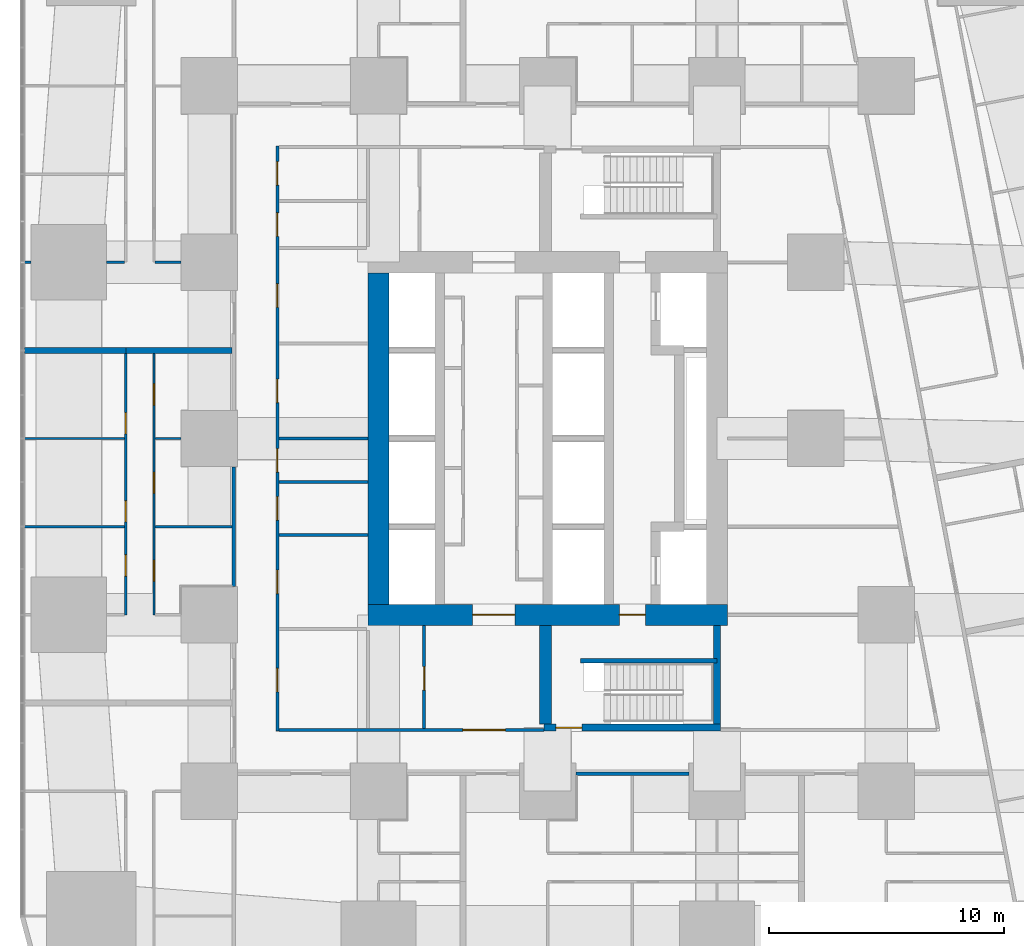
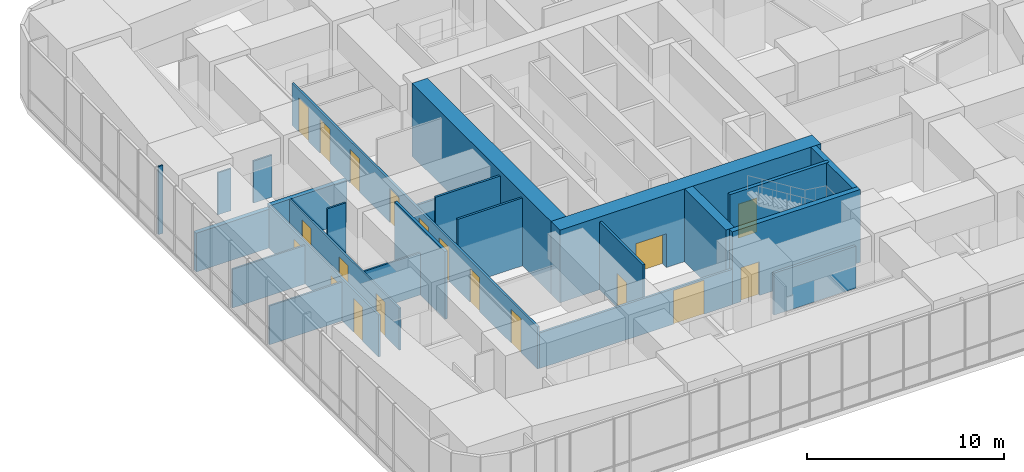
# One storey, part 15 of 23: 25 walls, 19 doors, 19 openings.
"""IFC4 building model written with IfcOpenShell, lengths in metres."""

from ifc_helpers import new_model, si_unit, direction, frame, frame_2d, origin, place, context, subcontext, project, spatial, rectangle, extrude, material, layer, layer_set, type_object, element, fill, save


model = new_model("IFC4")

# Units and contexts
model_context = context("Model", 3, precision=1e-05, world=origin(), true_north=direction((0.0, 1.0)))
body_context = subcontext(model_context, "Body", "Model", "MODEL_VIEW")
ifc_project = project(units=[si_unit("LENGTHUNIT", "METRE"), si_unit("AREAUNIT", "SQUARE_METRE"), si_unit("VOLUMEUNIT", "CUBIC_METRE"), si_unit("PLANEANGLEUNIT", "RADIAN"), si_unit("MASSUNIT", "GRAM", prefix="KILO")], contexts=[model_context])

# Site, building, storey
site_placement = place(None, origin())
site = spatial("IfcSite", under=ifc_project, at=site_placement, CompositionType="ELEMENT")
building_placement = place(site_placement, origin())
building = spatial("IfcBuilding", under=site, at=building_placement, Name="Sheger Commons Tower", CompositionType="ELEMENT")
storey_placement = place(building_placement, frame((0.0, 0.0, 5.60009765625)))
storey = spatial("IfcBuildingStorey", under=building, at=storey_placement, Name="L01", CompositionType="ELEMENT", Elevation=5.60009765625)

# Wall, openings, doors
ifc_material_1 = material(Name="Concrete C50/60", Category="concrete")
ifc_layer_1 = layer(ifc_material_1, 0.89990234375)
ifc_layer_set_1 = layer_set([ifc_layer_1], Name="CORE WALL 900")
wall_type_1 = type_object("IfcWallType", Name="CORE WALL 900", PredefinedType="SHEAR", material=ifc_layer_set_1)
wall_1_placement = place(storey_placement, frame((13.949951171875, 15.0, 0.0), z_axis=(0.0, 0.0, 1.0), x_axis=(1.0, 0.0, 0.0)))
wall_1 = element("IfcWall", 1, at=wall_1_placement, inside=storey, type_object=wall_type_1, Name="Core wall south L01", PredefinedType="SHEAR", context=body_context, shape_type="SweptSolid", body=[
    extrude(rectangle(XDim=15.300048828125, YDim=0.89990234375, at=frame_2d((7.64990234375, 0.0))), origin(), (0.0, 0.0, 1.0), 4.5),
])
opening_1_placement = place(wall_1_placement, frame((4.449951171875, 0.0, 0.0)))
opening_1 = element("IfcOpeningElement", 2, at=opening_1_placement, cuts=wall_1, Name="Opening D6", PredefinedType="OPENING", context=body_context, shape_type="SweptSolid", body=[
    extrude(rectangle(XDim=1.800048828125, YDim=2.10009765625, at=frame_2d((0.89990234375, 1.050048828125))), frame((0.0, 0.4599609375, 0.0), z_axis=(0.0, -1.0, 0.0), x_axis=(1.0, 0.0, 0.0)), (0.0, 0.0, 1.0), 0.919921875),
])
opening_2_placement = place(wall_1_placement, frame((10.699951171875, 0.0, 0.0)))
opening_2 = element("IfcOpeningElement", 3, at=opening_2_placement, cuts=wall_1, Name="Opening D5", PredefinedType="OPENING", context=body_context, shape_type="SweptSolid", body=[
    extrude(rectangle(XDim=1.10009765625, YDim=2.10009765625, at=frame_2d((0.550048828125, 1.050048828125))), frame((0.0, 0.4599609375, 0.0), z_axis=(0.0, -1.0, 0.0), x_axis=(1.0, 0.0, 0.0)), (0.0, 0.0, 1.0), 0.919921875),
])
ifc_material_2 = material(Name="Steel door set, fire rated", Category="steel")
door_type_1 = type_object("IfcDoorType", Name="LOBBY DOUBLE DOOR 1800x2100", OperationType="DOUBLE_DOOR_SINGLE_SWING", PredefinedType="DOOR", material=ifc_material_2)
door_1_placement = place(opening_1_placement, origin())
door_1 = element("IfcDoor", 4, at=door_1_placement, inside=storey, type_object=door_type_1, Name="Lift lobby door", OperationType="DOUBLE_DOOR_SINGLE_SWING", OverallHeight=2.10009765625, OverallWidth=1.800048828125, PredefinedType="DOOR", context=body_context, shape_type="SweptSolid", body=[
    extrude(rectangle(XDim=1.800048828125, YDim=2.10009765625, at=frame_2d((0.89990234375, 1.050048828125))), frame((0.0, 0.02490234375, 0.0), z_axis=(0.0, -1.0, 0.0), x_axis=(1.0, 0.0, 0.0)), (0.0, 0.0, 1.0), 0.050048828125),
])
fill(opening_1, door_1)
ifc_material_3 = material(Name="Steel door set, fire rated", Category="steel")
door_type_2 = type_object("IfcDoorType", Name="STAIR DOOR 1100x2100", OperationType="NOTDEFINED", PredefinedType="DOOR", material=ifc_material_3)
door_2_placement = place(opening_2_placement, origin())
door_2 = element("IfcDoor", 5, at=door_2_placement, inside=storey, type_object=door_type_2, Name="Fire-fighting lobby door", OperationType="SINGLE_SWING_RIGHT", OverallHeight=2.10009765625, OverallWidth=1.10009765625, PredefinedType="DOOR", context=body_context, shape_type="SweptSolid", body=[
    extrude(rectangle(XDim=1.10009765625, YDim=2.10009765625, at=frame_2d((0.550048828125, 1.050048828125))), frame((0.0, 0.02490234375, 0.0), z_axis=(0.0, -1.0, 0.0), x_axis=(1.0, 0.0, 0.0)), (0.0, 0.0, 1.0), 0.050048828125),
])
fill(opening_2, door_2)

# Walls
wall_2_placement = place(storey_placement, frame((14.39990234375, 15.449951171875, 0.0), z_axis=(0.0, 0.0, 1.0), x_axis=(0.0, 1.0, 0.0)))
element("IfcWall", 6, at=wall_2_placement, inside=storey, type_object=wall_type_1, Name="Core wall west L01", PredefinedType="SHEAR", context=body_context, shape_type="SweptSolid", body=[
    extrude(rectangle(XDim=14.10009765625, YDim=0.89990234375, at=frame_2d((7.050048828125, 0.0))), origin(), (0.0, 0.0, 1.0), 4.5),
])
ifc_material_4 = material(Name="Hollow concrete block masonry, skimmed both sides", Category="masonry")
ifc_layer_2 = layer(ifc_material_4, 0.14990234375)
ifc_layer_set_2 = layer_set([ifc_layer_2], Name="CORRIDOR WALL 150")
wall_type_2 = type_object("IfcWallType", Name="CORRIDOR WALL 150", PredefinedType="SOLIDWALL", material=ifc_layer_set_2)
wall_3_placement = place(storey_placement, frame((8.25, 16.200927734375, 0.0), z_axis=(0.0, 0.0, 1.0), x_axis=(0.0, 1.0, 0.0)))
element("IfcWall", 7, at=wall_3_placement, inside=storey, type_object=wall_type_2, Name="Corridor wall L01", PredefinedType="SOLIDWALL", context=body_context, shape_type="SweptSolid", body=[
    extrude(rectangle(XDim=5.09814453125, YDim=0.14990234375, at=frame_2d((2.549072265625, 0.0))), origin(), (0.0, 0.0, 1.0), 4.199951171875),
])
wall_4_placement = place(storey_placement, frame((27.59912109375, 8.25, 0.0), z_axis=(0.0, 0.0, 1.0), x_axis=(-1.0, 0.0, 0.0)))
element("IfcWall", 8, at=wall_4_placement, inside=storey, type_object=wall_type_2, Name="Corridor wall L01", PredefinedType="SOLIDWALL", context=body_context, shape_type="SweptSolid", body=[
    extrude(rectangle(XDim=4.798095703125, YDim=0.14990234375, at=frame_2d((2.39892578125, 0.0))), origin(), (0.0, 0.0, 1.0), 2.599853515625),
])
ifc_material_5 = material(Name="Dense concrete block masonry, plastered both sides (separating wall between flats)", Category="masonry")
ifc_layer_3 = layer(ifc_material_5, 0.25)
ifc_layer_set_3 = layer_set([ifc_layer_3], Name="DEMISING WALL 250")
wall_type_3 = type_object("IfcWallType", Name="DEMISING WALL 250", PredefinedType="SOLIDWALL", material=ifc_layer_set_3)
wall_5_placement = place(storey_placement, frame((-0.64990234375, 26.25, 0.0), z_axis=(0.0, 0.0, 1.0), x_axis=(1.0, 0.0, 0.0)))
element("IfcWall", 9, at=wall_5_placement, inside=storey, type_object=wall_type_3, Name="Demising wall L01", PredefinedType="SOLIDWALL", context=body_context, shape_type="SweptSolid", body=[
    extrude(rectangle(XDim=4.2998046875, YDim=0.25, at=frame_2d((2.14990234375, 0.0))), origin(), (0.0, 0.0, 1.0), 2.39990234375),
])
wall_6_placement = place(storey_placement, frame((3.64990234375, 26.25, 0.0), z_axis=(0.0, 0.0, 1.0), x_axis=(1.0, 0.0, 0.0)))
element("IfcWall", 10, at=wall_6_placement, inside=storey, type_object=wall_type_3, Name="Demising wall L01", PredefinedType="SOLIDWALL", context=body_context, shape_type="SweptSolid", body=[
    extrude(rectangle(XDim=4.525146484375, YDim=0.25, at=frame_2d((2.2626953125, 0.0))), origin(), (0.0, 0.0, 1.0), 2.599853515625),
])

# Wall, openings, doors
ifc_material_6 = material(Name="Gypsum board on steel studs", Category="steel")
ifc_layer_4 = layer(ifc_material_6, 0.10009765625)
ifc_layer_set_4 = layer_set([ifc_layer_4], Name="PARTITION 100")
wall_type_4 = type_object("IfcWallType", Name="PARTITION 100", PredefinedType="PARTITIONING", material=ifc_layer_set_4)
wall_7_placement = place(storey_placement, frame((3.64990234375, 15.0, 0.0), z_axis=(0.0, 0.0, 1.0), x_axis=(0.0, 1.0, 0.0)))
wall_7 = element("IfcWall", 11, at=wall_7_placement, inside=storey, type_object=wall_type_4, Name="Partition L01", PredefinedType="PARTITIONING", context=body_context, shape_type="SweptSolid", body=[
    extrude(rectangle(XDim=11.125, YDim=0.10009765625, at=frame_2d((5.5625, 0.0))), origin(), (0.0, 0.0, 1.0), 2.599853515625),
])
opening_3_placement = place(wall_7_placement, frame((1.64990234375, 0.0, 0.0)))
opening_3 = element("IfcOpeningElement", 12, at=opening_3_placement, cuts=wall_7, Name="Opening D2", PredefinedType="OPENING", context=body_context, shape_type="SweptSolid", body=[
    extrude(rectangle(XDim=0.89990234375, YDim=2.10009765625, at=frame_2d((0.449951171875, 1.050048828125))), frame((0.0, 0.06005859375, 0.0), z_axis=(0.0, -1.0, 0.0), x_axis=(1.0, 0.0, 0.0)), (0.0, 0.0, 1.0), 0.1201171875),
])
opening_4_placement = place(wall_7_placement, frame((3.949951171875, 0.0, 0.0)))
opening_4 = element("IfcOpeningElement", 13, at=opening_4_placement, cuts=wall_7, Name="Opening D2", PredefinedType="OPENING", context=body_context, shape_type="SweptSolid", body=[
    extrude(rectangle(XDim=0.89990234375, YDim=2.10009765625, at=frame_2d((0.449951171875, 1.050048828125))), frame((0.0, 0.06005859375, 0.0), z_axis=(0.0, -1.0, 0.0), x_axis=(1.0, 0.0, 0.0)), (0.0, 0.0, 1.0), 0.1201171875),
])
opening_5_placement = place(wall_7_placement, frame((7.699951171875, 0.0, 0.0)))
opening_5 = element("IfcOpeningElement", 14, at=opening_5_placement, cuts=wall_7, Name="Opening D2", PredefinedType="OPENING", context=body_context, shape_type="SweptSolid", body=[
    extrude(rectangle(XDim=0.89990234375, YDim=2.10009765625, at=frame_2d((0.449951171875, 1.050048828125))), frame((0.0, 0.06005859375, 0.0), z_axis=(0.0, -1.0, 0.0), x_axis=(1.0, 0.0, 0.0)), (0.0, 0.0, 1.0), 0.1201171875),
])
ifc_material_7 = material(Name="Timber door set", Category="wood")
door_type_3 = type_object("IfcDoorType", Name="INTERNAL DOOR 900x2100", OperationType="NOTDEFINED", PredefinedType="DOOR", material=ifc_material_7)
door_3_placement = place(opening_3_placement, origin())
door_3 = element("IfcDoor", 15, at=door_3_placement, inside=storey, type_object=door_type_3, Name="Consulting room door", OperationType="SINGLE_SWING_RIGHT", OverallHeight=2.10009765625, OverallWidth=0.89990234375, PredefinedType="DOOR", context=body_context, shape_type="SweptSolid", body=[
    extrude(rectangle(XDim=0.89990234375, YDim=2.10009765625, at=frame_2d((0.449951171875, 1.050048828125))), frame((0.0, 0.02490234375, 0.0), z_axis=(0.0, -1.0, 0.0), x_axis=(1.0, 0.0, 0.0)), (0.0, 0.0, 1.0), 0.050048828125),
])
fill(opening_3, door_3)
door_4_placement = place(opening_4_placement, origin())
door_4 = element("IfcDoor", 16, at=door_4_placement, inside=storey, type_object=door_type_3, Name="Examination room door", OperationType="SINGLE_SWING_LEFT", OverallHeight=2.10009765625, OverallWidth=0.89990234375, PredefinedType="DOOR", context=body_context, shape_type="SweptSolid", body=[
    extrude(rectangle(XDim=0.89990234375, YDim=2.10009765625, at=frame_2d((0.449951171875, 1.050048828125))), frame((0.0, 0.02490234375, 0.0), z_axis=(0.0, -1.0, 0.0), x_axis=(1.0, 0.0, 0.0)), (0.0, 0.0, 1.0), 0.050048828125),
])
fill(opening_4, door_4)
door_5_placement = place(opening_5_placement, origin())
door_5 = element("IfcDoor", 17, at=door_5_placement, inside=storey, type_object=door_type_3, Name="Consulting room door", OperationType="SINGLE_SWING_LEFT", OverallHeight=2.10009765625, OverallWidth=0.89990234375, PredefinedType="DOOR", context=body_context, shape_type="SweptSolid", body=[
    extrude(rectangle(XDim=0.89990234375, YDim=2.10009765625, at=frame_2d((0.449951171875, 1.050048828125))), frame((0.0, 0.02490234375, 0.0), z_axis=(0.0, -1.0, 0.0), x_axis=(1.0, 0.0, 0.0)), (0.0, 0.0, 1.0), 0.050048828125),
])
fill(opening_5, door_5)

wall_8_placement = place(storey_placement, frame((4.85009765625, 15.0, 0.0), z_axis=(0.0, 0.0, 1.0), x_axis=(0.0, 1.0, 0.0)))
wall_8 = element("IfcWall", 18, at=wall_8_placement, inside=storey, type_object=wall_type_4, Name="Partition L01", PredefinedType="PARTITIONING", context=body_context, shape_type="SweptSolid", body=[
    extrude(rectangle(XDim=11.125, YDim=0.10009765625, at=frame_2d((5.5625, 0.0))), origin(), (0.0, 0.0, 1.0), 2.599853515625),
])
opening_6_placement = place(wall_8_placement, frame((1.425048828125, 0.0, 0.0)))
opening_6 = element("IfcOpeningElement", 19, at=opening_6_placement, cuts=wall_8, Name="Opening D2", PredefinedType="OPENING", context=body_context, shape_type="SweptSolid", body=[
    extrude(rectangle(XDim=0.89990234375, YDim=2.10009765625, at=frame_2d((0.449951171875, 1.050048828125))), frame((0.0, 0.06005859375, 0.0), z_axis=(0.0, -1.0, 0.0), x_axis=(1.0, 0.0, 0.0)), (0.0, 0.0, 1.0), 0.1201171875),
])
opening_7_placement = place(wall_8_placement, frame((5.175048828125, 0.0, 0.0)))
opening_7 = element("IfcOpeningElement", 20, at=opening_7_placement, cuts=wall_8, Name="Opening D2", PredefinedType="OPENING", context=body_context, shape_type="SweptSolid", body=[
    extrude(rectangle(XDim=0.89990234375, YDim=2.10009765625, at=frame_2d((0.449951171875, 1.050048828125))), frame((0.0, 0.06005859375, 0.0), z_axis=(0.0, -1.0, 0.0), x_axis=(1.0, 0.0, 0.0)), (0.0, 0.0, 1.0), 0.1201171875),
])
opening_8_placement = place(wall_8_placement, frame((8.925048828125, 0.0, 0.0)))
opening_8 = element("IfcOpeningElement", 21, at=opening_8_placement, cuts=wall_8, Name="Opening D2", PredefinedType="OPENING", context=body_context, shape_type="SweptSolid", body=[
    extrude(rectangle(XDim=0.89990234375, YDim=2.10009765625, at=frame_2d((0.449951171875, 1.050048828125))), frame((0.0, 0.06005859375, 0.0), z_axis=(0.0, -1.0, 0.0), x_axis=(1.0, 0.0, 0.0)), (0.0, 0.0, 1.0), 0.1201171875),
])
door_6_placement = place(opening_6_placement, origin())
door_6 = element("IfcDoor", 22, at=door_6_placement, inside=storey, type_object=door_type_3, Name="Patient WC door", OperationType="SINGLE_SWING_RIGHT", OverallHeight=2.10009765625, OverallWidth=0.89990234375, PredefinedType="DOOR", context=body_context, shape_type="SweptSolid", body=[
    extrude(rectangle(XDim=0.89990234375, YDim=2.10009765625, at=frame_2d((0.449951171875, 1.050048828125))), frame((0.0, 0.02490234375, 0.0), z_axis=(0.0, -1.0, 0.0), x_axis=(1.0, 0.0, 0.0)), (0.0, 0.0, 1.0), 0.050048828125),
])
fill(opening_6, door_6)
door_7_placement = place(opening_7_placement, origin())
door_7 = element("IfcDoor", 23, at=door_7_placement, inside=storey, type_object=door_type_3, Name="Treatment room door", OperationType="SINGLE_SWING_LEFT", OverallHeight=2.10009765625, OverallWidth=0.89990234375, PredefinedType="DOOR", context=body_context, shape_type="SweptSolid", body=[
    extrude(rectangle(XDim=0.89990234375, YDim=2.10009765625, at=frame_2d((0.449951171875, 1.050048828125))), frame((0.0, 0.02490234375, 0.0), z_axis=(0.0, -1.0, 0.0), x_axis=(1.0, 0.0, 0.0)), (0.0, 0.0, 1.0), 0.050048828125),
])
fill(opening_7, door_7)
door_8_placement = place(opening_8_placement, origin())
door_8 = element("IfcDoor", 24, at=door_8_placement, inside=storey, type_object=door_type_3, Name="Treatment room door", OperationType="SINGLE_SWING_LEFT", OverallHeight=2.10009765625, OverallWidth=0.89990234375, PredefinedType="DOOR", context=body_context, shape_type="SweptSolid", body=[
    extrude(rectangle(XDim=0.89990234375, YDim=2.10009765625, at=frame_2d((0.449951171875, 1.050048828125))), frame((0.0, 0.02490234375, 0.0), z_axis=(0.0, -1.0, 0.0), x_axis=(1.0, 0.0, 0.0)), (0.0, 0.0, 1.0), 0.050048828125),
])
fill(opening_8, door_8)

# Walls
for number, where, z_axis, x_axis, name in (
    (25, (-0.64990234375, 18.75, 0.0), (0.0, 0.0, 1.0), (1.0, 0.0, 0.0), "Partition L01"),
    (26, (-0.64990234375, 22.5, 0.0), (0.0, 0.0, 1.0), (1.0, 0.0, 0.0), "Partition L01"),
):
    element("IfcWall", number, at=place(storey_placement, frame(where, z_axis=z_axis, x_axis=x_axis)), inside=storey, type_object=wall_type_4, Name=name, PredefinedType="PARTITIONING", context=body_context, shape_type="SweptSolid", body=[
        extrude(rectangle(XDim=4.25, YDim=0.10009765625, at=frame_2d((2.125, 0.0))), origin(), (0.0, 0.0, 1.0), 2.39990234375),
    ])
wall_9_placement = place(storey_placement, frame((4.89990234375, 18.75, 0.0), z_axis=(0.0, 0.0, 1.0), x_axis=(1.0, 0.0, 0.0)))
element("IfcWall", 27, at=wall_9_placement, inside=storey, type_object=wall_type_4, Name="Partition L01", PredefinedType="PARTITIONING", context=body_context, shape_type="SweptSolid", body=[
    extrude(rectangle(XDim=3.275146484375, YDim=0.10009765625, at=frame_2d((1.6376953125, 0.0))), origin(), (0.0, 0.0, 1.0), 2.599853515625),
])
wall_10_placement = place(storey_placement, frame((4.89990234375, 22.5, 0.0), z_axis=(0.0, 0.0, 1.0), x_axis=(1.0, 0.0, 0.0)))
element("IfcWall", 28, at=wall_10_placement, inside=storey, type_object=wall_type_4, Name="Partition L01", PredefinedType="PARTITIONING", context=body_context, shape_type="SweptSolid", body=[
    extrude(rectangle(XDim=1.09912109375, YDim=0.10009765625, at=frame_2d((0.549560546875, 0.0))), origin(), (0.0, 0.0, 1.0), 4.199951171875),
])
wall_11_placement = place(storey_placement, frame((-0.64990234375, 30.0, 0.0), z_axis=(0.0, 0.0, 1.0), x_axis=(1.0, 0.0, 0.0)))
element("IfcWall", 29, at=wall_11_placement, inside=storey, type_object=wall_type_4, Name="Partition L01", PredefinedType="PARTITIONING", context=body_context, shape_type="SweptSolid", body=[
    extrude(rectangle(XDim=0.27392578125, YDim=0.10009765625, at=frame_2d((0.136962890625, 0.0))), origin(), (0.0, 0.0, 1.0), 4.199951171875),
])
wall_12_placement = place(storey_placement, frame((2.825927734375, 30.0, 0.0), z_axis=(0.0, 0.0, 1.0), x_axis=(1.0, 0.0, 0.0)))
element("IfcWall", 30, at=wall_12_placement, inside=storey, type_object=wall_type_4, Name="Partition L01", PredefinedType="PARTITIONING", context=body_context, shape_type="SweptSolid", body=[
    extrude(rectangle(XDim=0.774169921875, YDim=0.10009765625, at=frame_2d((0.38720703125, 0.0))), origin(), (0.0, 0.0, 1.0), 2.599853515625),
])
wall_13_placement = place(storey_placement, frame((4.89990234375, 30.0, 0.0), z_axis=(0.0, 0.0, 1.0), x_axis=(1.0, 0.0, 0.0)))
element("IfcWall", 31, at=wall_13_placement, inside=storey, type_object=wall_type_4, Name="Partition L01", PredefinedType="PARTITIONING", context=body_context, shape_type="SweptSolid", body=[
    extrude(rectangle(XDim=1.09912109375, YDim=0.10009765625, at=frame_2d((0.549560546875, 0.0))), origin(), (0.0, 0.0, 1.0), 2.599853515625),
])

# Wall, openings, doors
ifc_material_8 = material(Name="Gypsum board on steel studs, two layers each side, fire rated", Category="steel")
ifc_layer_5 = layer(ifc_material_8, 0.125)
ifc_layer_set_5 = layer_set([ifc_layer_5], Name="SERVICE WALL 125")
wall_type_5 = type_object("IfcWallType", Name="SERVICE WALL 125", PredefinedType="PARTITIONING", material=ifc_layer_set_5)
wall_14_placement = place(storey_placement, frame((10.10009765625, 10.050048828125, 0.0), z_axis=(0.0, 0.0, 1.0), x_axis=(0.0, 1.0, 0.0)))
wall_14 = element("IfcWall", 32, at=wall_14_placement, inside=storey, type_object=wall_type_5, Name="Service room wall L01", PredefinedType="PARTITIONING", context=body_context, shape_type="SweptSolid", body=[
    extrude(rectangle(XDim=24.89990234375, YDim=0.125, at=frame_2d((12.449951171875, 0.0))), origin(), (0.0, 0.0, 1.0), 2.599853515625),
])
opening_9_placement = place(wall_14_placement, frame((1.675048828125, 0.0, 0.0)))
opening_9 = element("IfcOpeningElement", 33, at=opening_9_placement, cuts=wall_14, Name="Opening D4", PredefinedType="OPENING", context=body_context, shape_type="SweptSolid", body=[
    extrude(rectangle(XDim=1.0, YDim=2.10009765625, at=frame_2d((0.5, 1.050048828125))), frame((0.0, 0.072509765625, 0.0), z_axis=(0.0, -1.0, 0.0), x_axis=(1.0, 0.0, 0.0)), (0.0, 0.0, 1.0), 0.14501953125),
])
opening_10_placement = place(wall_14_placement, frame((5.85009765625, 0.0, 0.0)))
opening_10 = element("IfcOpeningElement", 34, at=opening_10_placement, cuts=wall_14, Name="Opening D4", PredefinedType="OPENING", context=body_context, shape_type="SweptSolid", body=[
    extrude(rectangle(XDim=1.0, YDim=2.10009765625, at=frame_2d((0.5, 1.050048828125))), frame((0.0, 0.072509765625, 0.0), z_axis=(0.0, -1.0, 0.0), x_axis=(1.0, 0.0, 0.0)), (0.0, 0.0, 1.0), 0.14501953125),
])
opening_11_placement = place(wall_14_placement, frame((8.97509765625, 0.0, 0.0)))
opening_11 = element("IfcOpeningElement", 35, at=opening_11_placement, cuts=wall_14, Name="Opening D4", PredefinedType="OPENING", context=body_context, shape_type="SweptSolid", body=[
    extrude(rectangle(XDim=1.0, YDim=2.10009765625, at=frame_2d((0.5, 1.050048828125))), frame((0.0, 0.072509765625, 0.0), z_axis=(0.0, -1.0, 0.0), x_axis=(1.0, 0.0, 0.0)), (0.0, 0.0, 1.0), 0.14501953125),
])
opening_12_placement = place(wall_14_placement, frame((11.02490234375, 0.0, 0.0)))
opening_12 = element("IfcOpeningElement", 36, at=opening_12_placement, cuts=wall_14, Name="Opening D4", PredefinedType="OPENING", context=body_context, shape_type="SweptSolid", body=[
    extrude(rectangle(XDim=1.0, YDim=2.10009765625, at=frame_2d((0.5, 1.050048828125))), frame((0.0, 0.072509765625, 0.0), z_axis=(0.0, -1.0, 0.0), x_axis=(1.0, 0.0, 0.0)), (0.0, 0.0, 1.0), 0.14501953125),
])
opening_13_placement = place(wall_14_placement, frame((13.97509765625, 0.0, 0.0)))
opening_13 = element("IfcOpeningElement", 37, at=opening_13_placement, cuts=wall_14, Name="Opening D4", PredefinedType="OPENING", context=body_context, shape_type="SweptSolid", body=[
    extrude(rectangle(XDim=1.0, YDim=2.10009765625, at=frame_2d((0.5, 1.050048828125))), frame((0.0, 0.072509765625, 0.0), z_axis=(0.0, -1.0, 0.0), x_axis=(1.0, 0.0, 0.0)), (0.0, 0.0, 1.0), 0.14501953125),
])
opening_14_placement = place(wall_14_placement, frame((18.02490234375, 0.0, 0.0)))
opening_14 = element("IfcOpeningElement", 38, at=opening_14_placement, cuts=wall_14, Name="Opening D4", PredefinedType="OPENING", context=body_context, shape_type="SweptSolid", body=[
    extrude(rectangle(XDim=1.0, YDim=2.10009765625, at=frame_2d((0.5, 1.050048828125))), frame((0.0, 0.072509765625, 0.0), z_axis=(0.0, -1.0, 0.0), x_axis=(1.0, 0.0, 0.0)), (0.0, 0.0, 1.0), 0.14501953125),
])
opening_15_placement = place(wall_14_placement, frame((21.050048828125, 0.0, 0.0)))
opening_15 = element("IfcOpeningElement", 39, at=opening_15_placement, cuts=wall_14, Name="Opening D4", PredefinedType="OPENING", context=body_context, shape_type="SweptSolid", body=[
    extrude(rectangle(XDim=1.0, YDim=2.10009765625, at=frame_2d((0.5, 1.050048828125))), frame((0.0, 0.072509765625, 0.0), z_axis=(0.0, -1.0, 0.0), x_axis=(1.0, 0.0, 0.0)), (0.0, 0.0, 1.0), 0.14501953125),
])
opening_16_placement = place(wall_14_placement, frame((23.22509765625, 0.0, 0.0)))
opening_16 = element("IfcOpeningElement", 40, at=opening_16_placement, cuts=wall_14, Name="Opening D4", PredefinedType="OPENING", context=body_context, shape_type="SweptSolid", body=[
    extrude(rectangle(XDim=1.0, YDim=2.10009765625, at=frame_2d((0.5, 1.050048828125))), frame((0.0, 0.072509765625, 0.0), z_axis=(0.0, -1.0, 0.0), x_axis=(1.0, 0.0, 0.0)), (0.0, 0.0, 1.0), 0.14501953125),
])
ifc_material_9 = material(Name="Steel door set, fire rated", Category="steel")
door_type_4 = type_object("IfcDoorType", Name="SERVICE DOOR 1000x2100", OperationType="NOTDEFINED", PredefinedType="DOOR", material=ifc_material_9)
door_9_placement = place(opening_9_placement, origin())
door_9 = element("IfcDoor", 41, at=door_9_placement, inside=storey, type_object=door_type_4, Name="Female WC door", OperationType="SINGLE_SWING_RIGHT", OverallHeight=2.10009765625, OverallWidth=1.0, PredefinedType="DOOR", context=body_context, shape_type="SweptSolid", body=[
    extrude(rectangle(XDim=1.0, YDim=2.10009765625, at=frame_2d((0.5, 1.050048828125))), frame((0.0, 0.02490234375, 0.0), z_axis=(0.0, -1.0, 0.0), x_axis=(1.0, 0.0, 0.0)), (0.0, 0.0, 1.0), 0.050048828125),
])
fill(opening_9, door_9)
door_10_placement = place(opening_10_placement, origin())
door_10 = element("IfcDoor", 42, at=door_10_placement, inside=storey, type_object=door_type_4, Name="Male WC door", OperationType="SINGLE_SWING_RIGHT", OverallHeight=2.10009765625, OverallWidth=1.0, PredefinedType="DOOR", context=body_context, shape_type="SweptSolid", body=[
    extrude(rectangle(XDim=1.0, YDim=2.10009765625, at=frame_2d((0.5, 1.050048828125))), frame((0.0, 0.02490234375, 0.0), z_axis=(0.0, -1.0, 0.0), x_axis=(1.0, 0.0, 0.0)), (0.0, 0.0, 1.0), 0.050048828125),
])
fill(opening_10, door_10)
door_11_placement = place(opening_11_placement, origin())
door_11 = element("IfcDoor", 43, at=door_11_placement, inside=storey, type_object=door_type_4, Name="Accessible WC door", OperationType="SINGLE_SWING_LEFT", OverallHeight=2.10009765625, OverallWidth=1.0, PredefinedType="DOOR", context=body_context, shape_type="SweptSolid", body=[
    extrude(rectangle(XDim=1.0, YDim=2.10009765625, at=frame_2d((0.5, 1.050048828125))), frame((0.0, 0.02490234375, 0.0), z_axis=(0.0, -1.0, 0.0), x_axis=(1.0, 0.0, 0.0)), (0.0, 0.0, 1.0), 0.050048828125),
])
fill(opening_11, door_11)
door_12_placement = place(opening_12_placement, origin())
door_12 = element("IfcDoor", 44, at=door_12_placement, inside=storey, type_object=door_type_4, Name="Baby change room door", OperationType="SINGLE_SWING_LEFT", OverallHeight=2.10009765625, OverallWidth=1.0, PredefinedType="DOOR", context=body_context, shape_type="SweptSolid", body=[
    extrude(rectangle(XDim=1.0, YDim=2.10009765625, at=frame_2d((0.5, 1.050048828125))), frame((0.0, 0.02490234375, 0.0), z_axis=(0.0, -1.0, 0.0), x_axis=(1.0, 0.0, 0.0)), (0.0, 0.0, 1.0), 0.050048828125),
])
fill(opening_12, door_12)
door_13_placement = place(opening_13_placement, origin())
door_13 = element("IfcDoor", 45, at=door_13_placement, inside=storey, type_object=door_type_4, Name="Staff changing room door", OperationType="SINGLE_SWING_RIGHT", OverallHeight=2.10009765625, OverallWidth=1.0, PredefinedType="DOOR", context=body_context, shape_type="SweptSolid", body=[
    extrude(rectangle(XDim=1.0, YDim=2.10009765625, at=frame_2d((0.5, 1.050048828125))), frame((0.0, 0.02490234375, 0.0), z_axis=(0.0, -1.0, 0.0), x_axis=(1.0, 0.0, 0.0)), (0.0, 0.0, 1.0), 0.050048828125),
])
fill(opening_13, door_13)
door_14_placement = place(opening_14_placement, origin())
door_14 = element("IfcDoor", 46, at=door_14_placement, inside=storey, type_object=door_type_4, Name="Staff WC door", OperationType="SINGLE_SWING_RIGHT", OverallHeight=2.10009765625, OverallWidth=1.0, PredefinedType="DOOR", context=body_context, shape_type="SweptSolid", body=[
    extrude(rectangle(XDim=1.0, YDim=2.10009765625, at=frame_2d((0.5, 1.050048828125))), frame((0.0, 0.02490234375, 0.0), z_axis=(0.0, -1.0, 0.0), x_axis=(1.0, 0.0, 0.0)), (0.0, 0.0, 1.0), 0.050048828125),
])
fill(opening_14, door_14)
door_15_placement = place(opening_15_placement, origin())
door_15 = element("IfcDoor", 47, at=door_15_placement, inside=storey, type_object=door_type_4, Name="Cleaner's store door", OperationType="SINGLE_SWING_RIGHT", OverallHeight=2.10009765625, OverallWidth=1.0, PredefinedType="DOOR", context=body_context, shape_type="SweptSolid", body=[
    extrude(rectangle(XDim=1.0, YDim=2.10009765625, at=frame_2d((0.5, 1.050048828125))), frame((0.0, 0.02490234375, 0.0), z_axis=(0.0, -1.0, 0.0), x_axis=(1.0, 0.0, 0.0)), (0.0, 0.0, 1.0), 0.050048828125),
])
fill(opening_15, door_15)
door_16_placement = place(opening_16_placement, origin())
door_16 = element("IfcDoor", 48, at=door_16_placement, inside=storey, type_object=door_type_4, Name="Clinical waste store door", OperationType="SINGLE_SWING_LEFT", OverallHeight=2.10009765625, OverallWidth=1.0, PredefinedType="DOOR", context=body_context, shape_type="SweptSolid", body=[
    extrude(rectangle(XDim=1.0, YDim=2.10009765625, at=frame_2d((0.5, 1.050048828125))), frame((0.0, 0.02490234375, 0.0), z_axis=(0.0, -1.0, 0.0), x_axis=(1.0, 0.0, 0.0)), (0.0, 0.0, 1.0), 0.050048828125),
])
fill(opening_16, door_16)

# Wall
wall_15_placement = place(storey_placement, frame((10.1630859375, 22.5, 0.0), z_axis=(0.0, 0.0, 1.0), x_axis=(1.0, 0.0, 0.0)))
element("IfcWall", 49, at=wall_15_placement, inside=storey, type_object=wall_type_5, Name="Service room wall L01", PredefinedType="PARTITIONING", context=body_context, shape_type="SweptSolid", body=[
    extrude(rectangle(XDim=3.786865234375, YDim=0.125, at=frame_2d((1.8935546875, 0.0))), origin(), (0.0, 0.0, 1.0), 2.599853515625),
])

# Wall, opening, door
wall_16_placement = place(storey_placement, frame((10.1630859375, 10.10009765625, 0.0), z_axis=(0.0, 0.0, 1.0), x_axis=(1.0, 0.0, 0.0)))
wall_16 = element("IfcWall", 50, at=wall_16_placement, inside=storey, type_object=wall_type_5, Name="Service room wall L01", PredefinedType="PARTITIONING", context=body_context, shape_type="SweptSolid", body=[
    extrude(rectangle(XDim=11.286865234375, YDim=0.125, at=frame_2d((5.6435546875, 0.0))), origin(), (0.0, 0.0, 1.0), 2.199951171875),
])
opening_17_placement = place(wall_16_placement, frame((7.83203125, 0.0, 0.0)))
opening_17 = element("IfcOpeningElement", 51, at=opening_17_placement, cuts=wall_16, Name="Opening D6", PredefinedType="OPENING", context=body_context, shape_type="SweptSolid", body=[
    extrude(rectangle(XDim=1.800048828125, YDim=2.10009765625, at=frame_2d((0.89990234375, 1.050048828125))), frame((0.0, 0.072509765625, 0.0), z_axis=(0.0, -1.0, 0.0), x_axis=(1.0, 0.0, 0.0)), (0.0, 0.0, 1.0), 0.14501953125),
])
door_17_placement = place(opening_17_placement, origin())
door_17 = element("IfcDoor", 52, at=door_17_placement, inside=storey, type_object=door_type_1, Name="Health centre lift lobby door", OperationType="DOUBLE_DOOR_SINGLE_SWING", OverallHeight=2.10009765625, OverallWidth=1.800048828125, PredefinedType="DOOR", context=body_context, shape_type="SweptSolid", body=[
    extrude(rectangle(XDim=1.800048828125, YDim=2.10009765625, at=frame_2d((0.89990234375, 1.050048828125))), frame((0.0, 0.02490234375, 0.0), z_axis=(0.0, -1.0, 0.0), x_axis=(1.0, 0.0, 0.0)), (0.0, 0.0, 1.0), 0.050048828125),
])
fill(opening_17, door_17)

wall_17_placement = place(storey_placement, frame((16.340087890625, 10.1630859375, 0.0), z_axis=(0.0, 0.0, 1.0), x_axis=(0.0, 1.0, 0.0)))
wall_17 = element("IfcWall", 53, at=wall_17_placement, inside=storey, type_object=wall_type_5, Name="Service room wall L01", PredefinedType="PARTITIONING", context=body_context, shape_type="SweptSolid", body=[
    extrude(rectangle(XDim=4.386962890625, YDim=0.125, at=frame_2d((2.193359375, 0.0))), origin(), (0.0, 0.0, 1.0), 4.199951171875),
])
opening_18_placement = place(wall_17_placement, frame((1.636962890625, 0.0, 0.0)))
opening_18 = element("IfcOpeningElement", 54, at=opening_18_placement, cuts=wall_17, Name="Opening D4", PredefinedType="OPENING", context=body_context, shape_type="SweptSolid", body=[
    extrude(rectangle(XDim=1.0, YDim=2.10009765625, at=frame_2d((0.5, 1.050048828125))), frame((0.0, 0.072509765625, 0.0), z_axis=(0.0, -1.0, 0.0), x_axis=(1.0, 0.0, 0.0)), (0.0, 0.0, 1.0), 0.14501953125),
])
door_18_placement = place(opening_18_placement, origin())
door_18 = element("IfcDoor", 55, at=door_18_placement, inside=storey, type_object=door_type_4, Name="Electrical room door", OperationType="SINGLE_SWING_LEFT", OverallHeight=2.10009765625, OverallWidth=1.0, PredefinedType="DOOR", context=body_context, shape_type="SweptSolid", body=[
    extrude(rectangle(XDim=1.0, YDim=2.10009765625, at=frame_2d((0.5, 1.050048828125))), frame((0.0, 0.02490234375, 0.0), z_axis=(0.0, -1.0, 0.0), x_axis=(1.0, 0.0, 0.0)), (0.0, 0.0, 1.0), 0.050048828125),
])
fill(opening_18, door_18)

# Walls
for number, where, z_axis, x_axis, name in (
    (56, (10.1630859375, 18.39990234375, 0.0), (0.0, 0.0, 1.0), (1.0, 0.0, 0.0), "Service room wall L01"),
    (57, (10.1630859375, 20.64990234375, 0.0), (0.0, 0.0, 1.0), (1.0, 0.0, 0.0), "Service room wall L01"),
):
    element("IfcWall", number, at=place(storey_placement, frame(where, z_axis=z_axis, x_axis=x_axis)), inside=storey, type_object=wall_type_5, Name=name, PredefinedType="PARTITIONING", context=body_context, shape_type="SweptSolid", body=[
        extrude(rectangle(XDim=3.786865234375, YDim=0.125, at=frame_2d((1.8935546875, 0.0))), origin(), (0.0, 0.0, 1.0), 4.199951171875),
    ])

# Wall, opening, door
ifc_material_10 = material(Name="Concrete C50/60", Category="concrete")
ifc_layer_6 = layer(ifc_material_10, 0.300048828125)
ifc_layer_set_6 = layer_set([ifc_layer_6], Name="STAIR CORE WALL 300")
wall_type_6 = type_object("IfcWallType", Name="STAIR CORE WALL 300", PredefinedType="SHEAR", material=ifc_layer_set_6)
wall_18_placement = place(storey_placement, frame((21.449951171875, 10.199951171875, 0.0), z_axis=(0.0, 0.0, 1.0), x_axis=(1.0, 0.0, 0.0)))
wall_18 = element("IfcWall", 58, at=wall_18_placement, inside=storey, type_object=wall_type_6, Name="STW-L01-S1S", PredefinedType="SHEAR", context=body_context, shape_type="SweptSolid", body=[
    extrude(rectangle(XDim=7.5, YDim=0.300048828125, at=frame_2d((3.75, 0.0))), origin(), (0.0, 0.0, 1.0), 4.5),
])
opening_19_placement = place(wall_18_placement, frame((0.5, 0.0, 0.0)))
opening_19 = element("IfcOpeningElement", 59, at=opening_19_placement, cuts=wall_18, Name="Opening D5", PredefinedType="OPENING", context=body_context, shape_type="SweptSolid", body=[
    extrude(rectangle(XDim=1.10009765625, YDim=2.10009765625, at=frame_2d((0.550048828125, 1.050048828125))), frame((0.0, 0.159912109375, 0.0), z_axis=(0.0, -1.0, 0.0), x_axis=(1.0, 0.0, 0.0)), (0.0, 0.0, 1.0), 0.320068359375),
])
door_19_placement = place(opening_19_placement, origin())
door_19 = element("IfcDoor", 60, at=door_19_placement, inside=storey, type_object=door_type_2, Name="Stair S1 door", OperationType="SINGLE_SWING_LEFT", OverallHeight=2.10009765625, OverallWidth=1.10009765625, PredefinedType="DOOR", context=body_context, shape_type="SweptSolid", body=[
    extrude(rectangle(XDim=1.10009765625, YDim=2.10009765625, at=frame_2d((0.550048828125, 1.050048828125))), frame((0.0, 0.02490234375, 0.0), z_axis=(0.0, -1.0, 0.0), x_axis=(1.0, 0.0, 0.0)), (0.0, 0.0, 1.0), 0.050048828125),
])
fill(opening_19, door_19)

# Walls
wall_19_placement = place(storey_placement, frame((28.800048828125, 10.35009765625, 0.0), z_axis=(0.0, 0.0, 1.0), x_axis=(0.0, 1.0, 0.0)))
element("IfcWall", 61, at=wall_19_placement, inside=storey, type_object=wall_type_6, Name="STW-L01-S1E", PredefinedType="SHEAR", context=body_context, shape_type="SweptSolid", body=[
    extrude(rectangle(XDim=4.199951171875, YDim=0.300048828125, at=frame_2d((2.10009765625, 0.0))), origin(), (0.0, 0.0, 1.0), 4.5),
])
ifc_material_11 = material(Name="Concrete C50/60", Category="concrete")
ifc_layer_7 = layer(ifc_material_11, 0.5)
ifc_layer_set_7 = layer_set([ifc_layer_7], Name="STAIR CORE WALL 500")
wall_type_7 = type_object("IfcWallType", Name="STAIR CORE WALL 500", PredefinedType="SHEAR", material=ifc_layer_set_7)
wall_20_placement = place(storey_placement, frame((21.5, 10.35009765625, 0.0), z_axis=(0.0, 0.0, 1.0), x_axis=(0.0, 1.0, 0.0)))
element("IfcWall", 62, at=wall_20_placement, inside=storey, type_object=wall_type_7, Name="STW-L01-S1W", PredefinedType="SHEAR", context=body_context, shape_type="SweptSolid", body=[
    extrude(rectangle(XDim=4.199951171875, YDim=0.5, at=frame_2d((2.10009765625, 0.0))), origin(), (0.0, 0.0, 1.0), 4.5),
])
ifc_material_12 = material(Name="Concrete C50/60", Category="concrete")
ifc_layer_8 = layer(ifc_material_12, 0.199951171875)
ifc_layer_set_8 = layer_set([ifc_layer_8], Name="STAIR SPINE WALL 200")
wall_type_8 = type_object("IfcWallType", Name="STAIR SPINE WALL 200", PredefinedType="SHEAR", material=ifc_layer_set_8)
wall_21_placement = place(storey_placement, frame((23.0, 13.050048828125, 0.0), z_axis=(0.0, 0.0, 1.0), x_axis=(1.0, 0.0, 0.0)))
element("IfcWall", 63, at=wall_21_placement, inside=storey, type_object=wall_type_8, Name="Stair spine wall L01", PredefinedType="SHEAR", context=body_context, shape_type="SweptSolid", body=[
    extrude(rectangle(XDim=5.800048828125, YDim=0.199951171875, at=frame_2d((2.89990234375, 0.0))), origin(), (0.0, 0.0, 1.0), 4.5),
])

save(model, "model.ifc")
